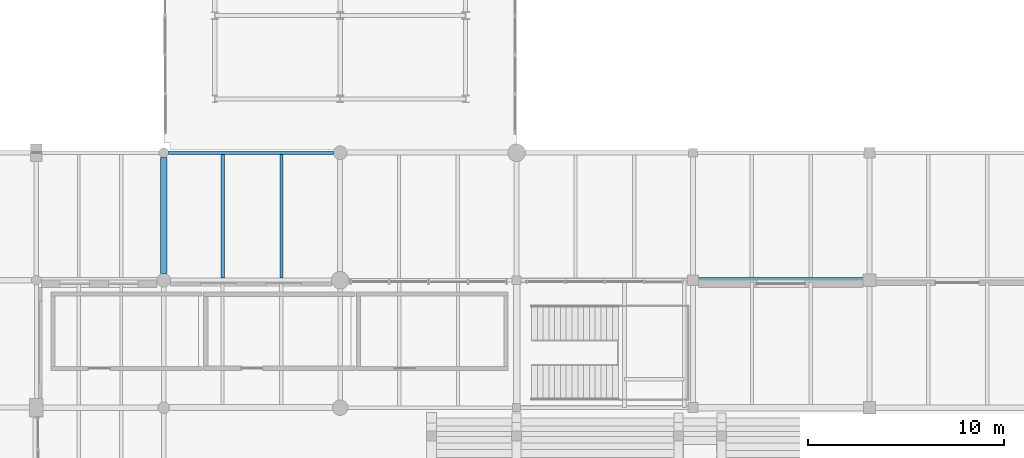
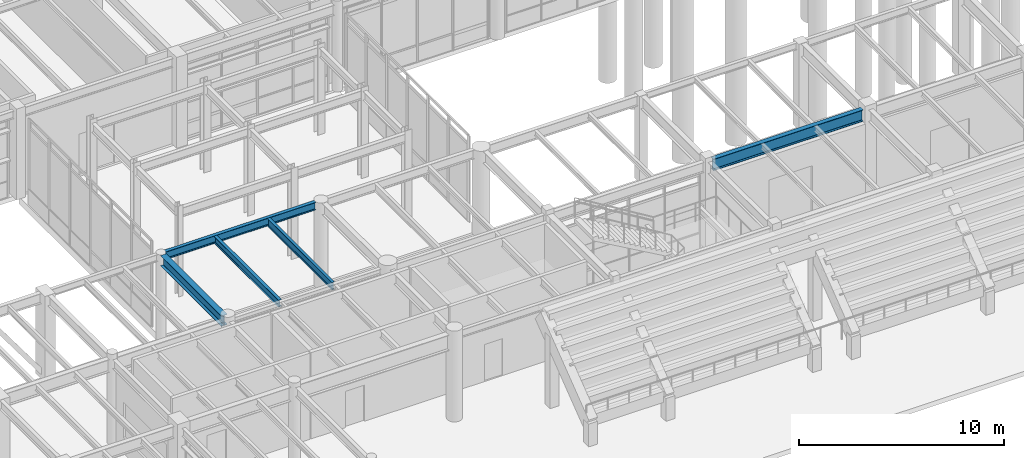
# One storey, part 72 of 203: 5 beams.
"""IFC4 building model written with IfcOpenShell, lengths in metres."""

from ifc_helpers import new_model, si_unit, direction, frame, origin, origin_2d, place, context, subcontext, project, spatial, i_section, extrude, material, material_profile, profile_set, type_object, element, save


model = new_model("IFC4")

# Units and contexts
model_context = context("Model", 3, precision=1e-05, world=origin(), true_north=direction((0.0, 1.0)))
body_context = subcontext(model_context, "Body", "Model", "MODEL_VIEW")
ifc_project = project(units=[si_unit("LENGTHUNIT", "METRE"), si_unit("AREAUNIT", "SQUARE_METRE"), si_unit("VOLUMEUNIT", "CUBIC_METRE"), si_unit("PLANEANGLEUNIT", "RADIAN"), si_unit("MASSUNIT", "GRAM", prefix="KILO"), si_unit("THERMODYNAMICTEMPERATUREUNIT", "KELVIN"), si_unit("POWERUNIT", "WATT")], contexts=[model_context])

# Site, building, storey
site_placement = place(None, origin())
site = spatial("IfcSite", under=ifc_project, at=site_placement, CompositionType="ELEMENT")
building_placement = place(site_placement, origin())
building = spatial("IfcBuilding", under=site, at=building_placement, Name="Tepalcoro Natatorium and Aquatics Centre", CompositionType="ELEMENT")
storey_placement = place(building_placement, origin())
storey = spatial("IfcBuildingStorey", under=building, at=storey_placement, Name="L00", CompositionType="ELEMENT", Elevation=0.0)

# Beams
ifc_material = material(Name="Steel ASTM A992 Grade 50 (Fy 345 MPa)", Category="steel")
ifc_material_profile_1 = material_profile(ifc_material, i_section(OverallWidth=0.324951171875, OverallDepth=0.616943359375, WebThickness=0.013916015625, FlangeThickness=0.02197265625, FilletRadius=0.013916015625, at=origin_2d()), Name="W24X117")
ifc_profile_set_1 = profile_set([ifc_material_profile_1], Name="Steel ASTM A992 Grade 50 (Fy 345 MPa)")
beam_type_1 = type_object("IfcBeamType", Name="BM_W24x117", PredefinedType="BEAM", material=ifc_profile_set_1)
beam_1_placement = place(storey_placement, frame((53.0, 65.8349609375, 4.776611328125), z_axis=(0.0, 1.0, 0.0), x_axis=(-1.0, 0.0, 0.0)))
element("IfcBeam", 1, at=beam_1_placement, inside=storey, type_object=beam_type_1, Name="V1 L00 Grid Girder Y", PredefinedType="BEAM", context=body_context, shape_type="SweptSolid", body=[
    extrude(i_section(OverallWidth=0.324951171875, OverallDepth=0.616943359375, WebThickness=0.013916015625, FlangeThickness=0.02197265625, FilletRadius=0.013916015625, at=origin_2d()), origin(), (0.0, 0.0, 1.0), 5.929931640625),
])
ifc_material_profile_2 = material_profile(ifc_material, i_section(OverallWidth=0.25390625, OverallDepth=0.68798828125, WebThickness=0.012939453125, FlangeThickness=0.02099609375, FilletRadius=0.013916015625, at=origin_2d()), Name="W27X102")
ifc_profile_set_2 = profile_set([ifc_material_profile_2], Name="Steel ASTM A992 Grade 50 (Fy 345 MPa)")
beam_type_2 = type_object("IfcBeamType", Name="BM_W27x102", PredefinedType="BEAM", material=ifc_profile_set_2)
beam_2_placement = place(storey_placement, frame((80.260009765625, 65.5, 4.740966796875), z_axis=(1.0, 0.0, 0.0), x_axis=(0.0, 1.0, 0.0)))
element("IfcBeam", 2, at=beam_2_placement, inside=storey, type_object=beam_type_2, Name="V1 L00 Grid Girder X", PredefinedType="BEAM", context=body_context, shape_type="SweptSolid", body=[
    extrude(i_section(OverallWidth=0.25390625, OverallDepth=0.68798828125, WebThickness=0.012939453125, FlangeThickness=0.02099609375, FilletRadius=0.013916015625, at=origin_2d()), origin(), (0.0, 0.0, 1.0), 8.429931640625),
])
ifc_material_profile_3 = material_profile(ifc_material, i_section(OverallWidth=0.178955078125, OverallDepth=0.409912109375, WebThickness=0.009033203125, FlangeThickness=0.013916015625, FilletRadius=0.013916015625, at=origin_2d()), Name="W16X45")
ifc_profile_set_3 = profile_set([ifc_material_profile_3], Name="Steel ASTM A992 Grade 50 (Fy 345 MPa)")
beam_type_3 = type_object("IfcBeamType", Name="JS_W16x45", PredefinedType="JOIST", material=ifc_profile_set_3)
beam_3_placement = place(storey_placement, frame((56.0, 65.6015625, 4.8798828125), z_axis=(0.0, 1.0, 0.0), x_axis=(-1.0, 0.0, 0.0)))
element("IfcBeam", 3, at=beam_3_placement, inside=storey, type_object=beam_type_3, Name="V1 L00 Floor Joist", PredefinedType="JOIST", context=body_context, shape_type="SweptSolid", body=[
    extrude(i_section(OverallWidth=0.178955078125, OverallDepth=0.409912109375, WebThickness=0.009033203125, FlangeThickness=0.013916015625, FilletRadius=0.013916015625, at=origin_2d()), origin(), (0.0, 0.0, 1.0), 6.302978515625),
])
ifc_material_profile_4 = material_profile(ifc_material, i_section(OverallWidth=0.153076171875, OverallDepth=0.455078125, WebThickness=0.008056640625, FlangeThickness=0.012939453125, FilletRadius=0.013916015625, at=origin_2d()), Name="W18X40")
ifc_profile_set_4 = profile_set([ifc_material_profile_4], Name="Steel ASTM A992 Grade 50 (Fy 345 MPa)")
beam_type_4 = type_object("IfcBeamType", Name="JS_W18x40", PredefinedType="JOIST", material=ifc_profile_set_4)
beam_4_placement = place(storey_placement, frame((59.0, 65.6015625, 4.857421875), z_axis=(0.0, 1.0, 0.0), x_axis=(-1.0, 0.0, 0.0)))
element("IfcBeam", 4, at=beam_4_placement, inside=storey, type_object=beam_type_4, Name="V1 L00 Floor Joist", PredefinedType="JOIST", context=body_context, shape_type="SweptSolid", body=[
    extrude(i_section(OverallWidth=0.153076171875, OverallDepth=0.455078125, WebThickness=0.008056640625, FlangeThickness=0.012939453125, FilletRadius=0.013916015625, at=origin_2d()), origin(), (0.0, 0.0, 1.0), 6.302978515625),
])
ifc_material_profile_5 = material_profile(ifc_material, i_section(OverallWidth=0.19091796875, OverallDepth=0.4599609375, WebThickness=0.010009765625, FlangeThickness=0.01611328125, FilletRadius=0.013916015625, at=origin_2d()), Name="W18X55")
ifc_profile_set_5 = profile_set([ifc_material_profile_5], Name="Steel ASTM A992 Grade 50 (Fy 345 MPa)")
beam_type_5 = type_object("IfcBeamType", Name="SP_W18x55", PredefinedType="SPANDREL", material=ifc_profile_set_5)
beam_5_placement = place(storey_placement, frame((53.235107421875, 72.0, 4.85498046875), z_axis=(1.0, 0.0, 0.0), x_axis=(0.0, 1.0, 0.0)))
element("IfcBeam", 5, at=beam_5_placement, inside=storey, type_object=beam_type_5, Name="V1 L00 Grid Girder X", PredefinedType="SPANDREL", context=body_context, shape_type="SweptSolid", body=[
    extrude(i_section(OverallWidth=0.19091796875, OverallDepth=0.4599609375, WebThickness=0.010009765625, FlangeThickness=0.01611328125, FilletRadius=0.013916015625, at=origin_2d()), origin(), (0.0, 0.0, 1.0), 8.429931640625),
])

save(model, "model.ifc")
